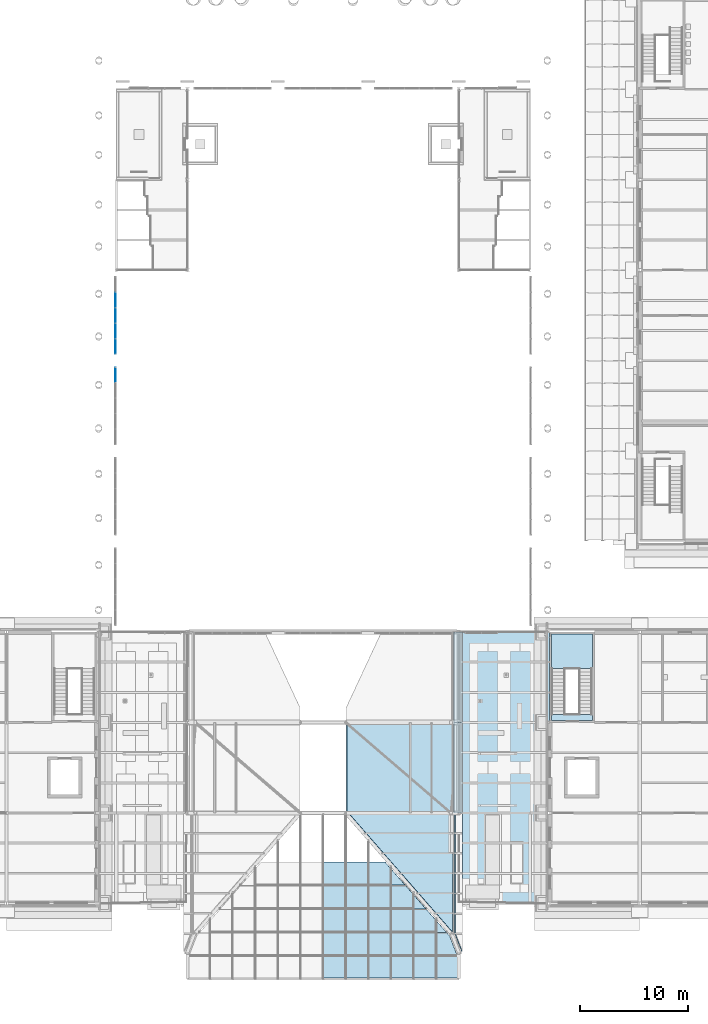
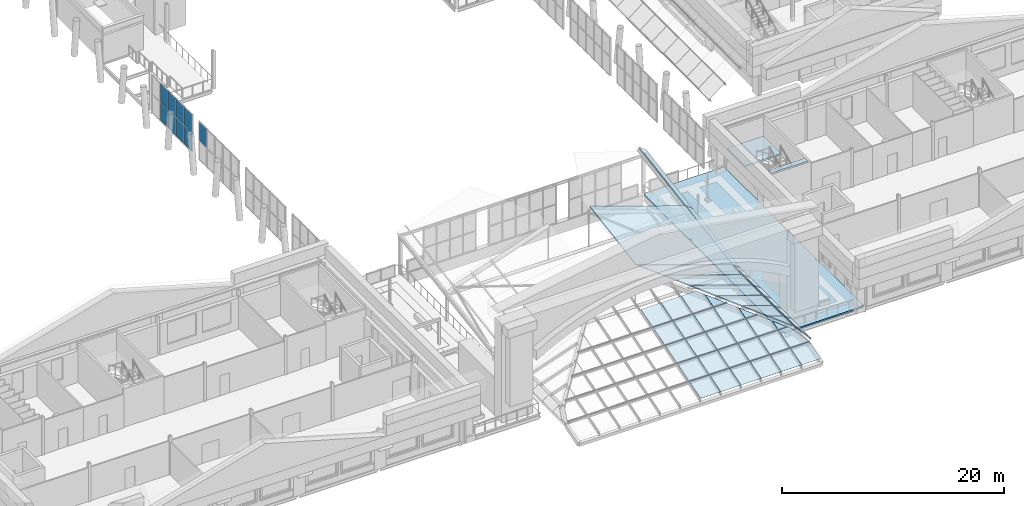
# One storey, part 35 of 76: 36 plates, 19 slabs, 3 elements without a shape of their own.
"""IFC4 building model written with IfcOpenShell, lengths in metres."""

import ifcopenshell
import ifcopenshell.guid

model = None  # the IFC model being written
_history = None  # IfcOwnerHistory: only IFC2X3 demands one
_inside = {}  # id of a spatial element -> (the spatial element, [elements in it])
_under = {}  # id of a project, library or spatial element -> (it, [spatial elements below it])
_declared = {}  # id of a project -> (the project, [libraries it declares])
_typed = {}  # id of a type object -> (the type object, [elements of that type])
_made_of = {}  # id of a material, layer set ... -> (it, [elements and type objects made of it])


def new_model(schema):
    """Start an empty IFC model of exactly this schema.

    Asked for "IFC4X3", IfcOpenShell would pick the latest addendum, in which some entities
    have other attributes; the version numbers below select the first issue.
    IFC2X3 requires an IfcOwnerHistory on every rooted entity: one is made here for all.
    """
    global model, _history
    if schema == "IFC4X3":
        model = ifcopenshell.file(schema_version=(4, 3, 0, 0))
    else:
        model = ifcopenshell.file(schema=schema)
    _inside.clear()
    _under.clear()
    _declared.clear()
    _typed.clear()
    _made_of.clear()
    _history = None
    if model.schema == "IFC2X3":
        org = make("IfcOrganization", Name="unknown")
        user = make(
            "IfcPersonAndOrganization",
            ThePerson=make("IfcPerson", FamilyName="unknown"),
            TheOrganization=org,
        )
        app = make(
            "IfcApplication",
            ApplicationDeveloper=org,
            Version="unknown",
            ApplicationFullName="unknown",
            ApplicationIdentifier="unknown",
        )
        _history = make(
            "IfcOwnerHistory",
            OwningUser=user,
            OwningApplication=app,
            ChangeAction="ADDED",
            CreationDate=0,
        )
    return model


def make(cls, **values):
    """One entity of the class cls with the attributes given. An attribute that is None is left unset."""
    return model.create_entity(
        cls, **{name: value for name, value in values.items() if value is not None}
    )


def rooted(cls, **values):
    """An entity with a GlobalId (a new one), such as an element, a storey or a relation."""
    return make(cls, GlobalId=ifcopenshell.guid.new(), OwnerHistory=_history, **values)


def si_unit(unit_type, name, prefix=None):
    """IfcSIUnit, for example si_unit("LENGTHUNIT", "METRE", prefix="MILLI")."""
    return make("IfcSIUnit", UnitType=unit_type, Prefix=prefix, Name=name)


def assignment(units):
    """IfcUnitAssignment: the units of a project."""
    return None if units is None else make("IfcUnitAssignment", Units=units)


def point(xyz):
    """IfcCartesianPoint."""
    return None if xyz is None else make("IfcCartesianPoint", Coordinates=xyz)


def direction(xyz):
    """IfcDirection."""
    return None if xyz is None else make("IfcDirection", DirectionRatios=xyz)


def frame(location, z_axis=None, x_axis=None):
    """IfcAxis2Placement3D, a coordinate frame: its origin and axes. An axis left out is left unset."""
    return make(
        "IfcAxis2Placement3D",
        Location=point(location),
        Axis=direction(z_axis),
        RefDirection=direction(x_axis),
    )


def frame_2d(location, x_axis=None):
    """IfcAxis2Placement2D, a coordinate frame in the plane: its origin and x axis."""
    return make(
        "IfcAxis2Placement2D", Location=point(location), RefDirection=direction(x_axis)
    )


def origin():
    """The frame at (0, 0, 0) with its axes left unset."""
    return frame((0.0, 0.0, 0.0))


def origin_2d():
    """The frame at (0, 0) in the plane with its x axis left unset."""
    return frame_2d((0.0, 0.0))


def place(relative_to, where):
    """IfcLocalPlacement: puts the frame where relative to a parent placement (None: the world)."""
    return make(
        "IfcLocalPlacement", PlacementRelTo=relative_to, RelativePlacement=where
    )


def context(
    kind, dimensions, precision=None, world=None, true_north=None, identifier=None
):
    """IfcGeometricRepresentationContext, for example the 3D "Model" context."""
    return make(
        "IfcGeometricRepresentationContext",
        ContextIdentifier=identifier,
        ContextType=kind,
        CoordinateSpaceDimension=dimensions,
        Precision=precision,
        WorldCoordinateSystem=world,
        TrueNorth=true_north,
    )


def subcontext(parent, identifier, kind, view, scale=None):
    """IfcGeometricRepresentationSubContext, for example "Body" below "Model"."""
    return make(
        "IfcGeometricRepresentationSubContext",
        ContextIdentifier=identifier,
        ContextType=kind,
        ParentContext=parent,
        TargetScale=scale,
        TargetView=view,
    )


def project(units=None, contexts=None):
    """IfcProject with its units and contexts."""
    return rooted(
        "IfcProject",
        Name="project",
        RepresentationContexts=contexts,
        UnitsInContext=assignment(units),
    )


def spatial(cls, under=None, at=None, **own):
    """A site, building, storey or space (cls), placed at a placement, below another one or the project."""
    s = rooted(cls, ObjectPlacement=at, **own)
    if under is not None:
        _under.setdefault(under.id(), (under, []))[1].append(s)
    return s


def polyline(points):
    """IfcPolyline through the points."""
    return make("IfcPolyline", Points=[point(p) for p in points])


def profile(cls, at=None, kind="AREA", **sizes):
    """A parametric profile (cls). Its sizes go by their IFC names, for example OverallWidth=200.0."""
    return make(cls, ProfileType=kind, Position=at, **sizes)


def rectangle(**sizes):
    """IfcRectangleProfileDef."""
    return profile("IfcRectangleProfileDef", **sizes)


def outline(outer, holes=None, kind="AREA"):
    """IfcArbitraryClosedProfileDef: a profile drawn as a closed curve; with holes, ...WithVoids."""
    if holes is None:
        return make("IfcArbitraryClosedProfileDef", ProfileType=kind, OuterCurve=outer)
    return make(
        "IfcArbitraryProfileDefWithVoids",
        ProfileType=kind,
        OuterCurve=outer,
        InnerCurves=holes,
    )


def extrude(swept, where, along, depth):
    """IfcExtrudedAreaSolid: the profile swept, set in the frame where, extruded along a direction by depth."""
    return make(
        "IfcExtrudedAreaSolid",
        SweptArea=swept,
        Position=where,
        ExtrudedDirection=direction(along),
        Depth=depth,
    )


def shape(context_of_items, identifier, shape_type, items):
    """IfcShapeRepresentation: the items that make up one representation, for example the "Body"."""
    return make(
        "IfcShapeRepresentation",
        ContextOfItems=context_of_items,
        RepresentationIdentifier=identifier,
        RepresentationType=shape_type,
        Items=items,
    )


def material(Name=None, Category=None):
    """IfcMaterial."""
    return make("IfcMaterial", Name=Name, Category=Category)


def layer(
    of_material, thickness, ventilated=None, Name=None, Category=None, Priority=None
):
    """IfcMaterialLayer: one layer of a wall or slab, of a material (None: an air gap)."""
    return make(
        "IfcMaterialLayer",
        Material=of_material,
        LayerThickness=thickness,
        IsVentilated=ventilated,
        Name=Name,
        Category=Category,
        Priority=Priority,
    )


def layer_set(layers, Name=None):
    """IfcMaterialLayerSet."""
    return make("IfcMaterialLayerSet", MaterialLayers=layers, LayerSetName=Name)


def made_of(thing, what):
    """Note that an element or type object is made of a material, layer set ...; save() writes the relation."""
    if what is not None:
        _made_of.setdefault(what.id(), (what, []))[1].append(thing)
    return thing


def type_object(cls, material=None, **own):
    """A type object (cls), such as IfcWallType, which elements share."""
    return made_of(rooted(cls, **own), material)


def element(
    cls,
    number,
    at=None,
    inside=None,
    cuts=None,
    type_object=None,
    material=None,
    context=None,
    identifier="Body",
    shape_type=None,
    held_by="IfcProductDefinitionShape",
    body=None,
    shapes=None,
    **own,
):
    """One element of the class cls, such as IfcWall. Its Tag is "e" and its number.

    at: its placement. inside: the storey or other place that contains it. cuts: it is an
    opening in that element (IfcRelVoidsElement). A single representation is given by context,
    identifier, shape_type and body (its items); several are given by shapes. held_by: the class
    of the entity that holds the representations. save() writes the other relations.
    """
    e = rooted(cls, Tag="e%d" % number, ObjectPlacement=at, **own)
    if body is not None:
        shapes = [shape(context, identifier, shape_type, body)]
    if shapes is not None:
        e.Representation = make(held_by, Representations=shapes)
    if inside is not None:
        _inside.setdefault(inside.id(), (inside, []))[1].append(e)
    if cuts is not None:
        rooted(
            "IfcRelVoidsElement", RelatingBuildingElement=cuts, RelatedOpeningElement=e
        )
    if type_object is not None:
        _typed.setdefault(type_object.id(), (type_object, []))[1].append(e)
    return made_of(e, material)


def aggregate(whole, parts):
    """IfcRelAggregates: a whole, such as a stair, and the parts it consists of."""
    return rooted("IfcRelAggregates", RelatingObject=whole, RelatedObjects=parts)


def save(model, path):
    """Write the relations noted so far, then the file.

    IfcRelAggregates (storeys below a building ...), IfcRelContainedInSpatialStructure (elements
    in a storey), IfcRelDefinesByType, IfcRelAssociatesMaterial and IfcRelDeclares: one each for
    every whole, place, type object, material and project.
    """
    for whole, parts in _under.values():
        aggregate(whole, parts)
    for where, things in _inside.values():
        rooted(
            "IfcRelContainedInSpatialStructure",
            RelatedElements=things,
            RelatingStructure=where,
        )
    for kind, things in _typed.values():
        rooted("IfcRelDefinesByType", RelatedObjects=things, RelatingType=kind)
    for what, things in _made_of.values():
        rooted("IfcRelAssociatesMaterial", RelatedObjects=things, RelatingMaterial=what)
    for by, libraries in _declared.values():
        rooted("IfcRelDeclares", RelatingContext=by, RelatedDefinitions=libraries)
    model.write(path)


model = new_model("IFC4")

# Units and contexts
model_context = context("Model", 3, precision=1e-05, world=origin(), true_north=direction((0.0, 1.0)))
body_context = subcontext(model_context, "Body", "Model", "MODEL_VIEW")
ifc_project = project(units=[si_unit("LENGTHUNIT", "METRE"), si_unit("AREAUNIT", "SQUARE_METRE"), si_unit("VOLUMEUNIT", "CUBIC_METRE"), si_unit("PLANEANGLEUNIT", "RADIAN"), si_unit("MASSUNIT", "GRAM", prefix="KILO")], contexts=[model_context])

# Site, building, storey
site_placement = place(None, origin())
site = spatial("IfcSite", under=ifc_project, at=site_placement, CompositionType="ELEMENT")
building_placement = place(site_placement, origin())
building = spatial("IfcBuilding", under=site, at=building_placement, Name="Sava Quay Ferry Terminal", CompositionType="ELEMENT")
storey_placement = place(building_placement, frame((0.0, 0.0, 10.800048828125)))
storey = spatial("IfcBuildingStorey", under=building, at=storey_placement, Name="L02", CompositionType="ELEMENT", Elevation=10.800048828125)

# Slab
ifc_material_1 = material(Name="Concrete C30/37", Category="concrete")
ifc_layer_1 = layer(ifc_material_1, 0.14990234375)
ifc_layer_set_1 = layer_set([ifc_layer_1], Name="Concrete C30/37")
slab_type_1 = type_object("IfcSlabType", Name="Composite terrace slab 150", PredefinedType="ROOF", material=ifc_layer_set_1)
slab_1_placement = place(storey_placement, frame((0.0, 0.0, -0.150146484375)))
element("IfcSlab", 1, at=slab_1_placement, inside=storey, type_object=slab_type_1, Name="TA terrace slab L02", PredefinedType="ROOF", context=body_context, shape_type="SweptSolid", body=[
    extrude(outline(polyline([(84.0, 25.340087890625), (83.860107421875, 25.340087890625), (83.860107421875, 25.199951171875), (75.739990234375, 25.199951171875), (75.739990234375, 25.340087890625), (75.60009765625, 25.340087890625), (75.60009765625, 33.4599609375), (75.739990234375, 33.4599609375), (75.739990234375, 33.739990234375), (75.60009765625, 33.739990234375), (75.60009765625, 41.860107421875), (75.739990234375, 41.860107421875), (75.739990234375, 42.139892578125), (75.60009765625, 42.139892578125), (75.60009765625, 50.2099609375), (75.760009765625, 50.2099609375), (75.760009765625, 50.39990234375), (84.0, 50.39990234375), (84.0, 42.0), (84.0, 33.739990234375), (83.860107421875, 33.739990234375), (83.860107421875, 33.4599609375), (84.0, 33.4599609375), (84.0, 25.340087890625)])), origin(), (0.0, 0.0, 1.0), 0.150146484375),
])

# Curtain wall, plate
ifc_material_2 = material(Name="Aluminium and glass curtain wall, double low-e glazed", Category="aluminium")
curtain_wall_type = type_object("IfcCurtainWallType", Name="Curtain wall CW-F flank", PredefinedType="NOTDEFINED", material=ifc_material_2)
curtain_wall_1_placement = place(storey_placement, origin())
curtain_wall_1 = element("IfcCurtainWall", 2, at=curtain_wall_1_placement, inside=storey, type_object=curtain_wall_type, Name="Curtain wall D-W L02 bay 3", PredefinedType="NOTDEFINED")
ifc_material_3 = material(Name="Laminated glass, double low-e glazed unit", Category="glass")
ifc_layer_2 = layer(ifc_material_3, 0.028076171875)
ifc_layer_set_2 = layer_set([ifc_layer_2], Name="Laminated glass, double low-e glazed unit")
plate_type_1 = type_object("IfcPlateType", Name="Glass panel 28 double low-e", PredefinedType="CURTAIN_PANEL", material=ifc_layer_set_2)
plate_1_placement = place(storey_placement, frame((43.72509765625, 74.264892578125, 2.125), z_axis=(0.0, 0.0, 1.0), x_axis=(0.0, 1.0, 0.0)))
plate_1 = element("IfcPlate", 3, at=plate_1_placement, type_object=plate_type_1, Name="CW105 panel 5.2", PredefinedType="CURTAIN_PANEL", context=body_context, shape_type="SweptSolid", body=[
    extrude(rectangle(XDim=1.35009765625, YDim=0.028076171875, at=origin_2d()), origin(), (0.0, 0.0, 1.0), 2.02490234375),
])
aggregate(curtain_wall_1, [plate_1])

# Curtain wall, plates
curtain_wall_2_placement = place(storey_placement, origin())
curtain_wall_2 = element("IfcCurtainWall", 4, at=curtain_wall_2_placement, inside=storey, type_object=curtain_wall_type, Name="Curtain wall D-W L02 bay 4", PredefinedType="NOTDEFINED")
plate_2_placement = place(storey_placement, frame((43.72509765625, 76.93505859375, 0.050048828125), z_axis=(0.0, 0.0, 1.0), x_axis=(0.0, 1.0, 0.0)))
plate_2 = element("IfcPlate", 5, at=plate_2_placement, type_object=plate_type_1, Name="CW108 panel 1.1", PredefinedType="CURTAIN_PANEL", context=body_context, shape_type="SweptSolid", body=[
    extrude(rectangle(XDim=1.35009765625, YDim=0.028076171875, at=origin_2d()), origin(), (0.0, 0.0, 1.0), 2.02490234375),
])
plate_3_placement = place(storey_placement, frame((43.72509765625, 76.93505859375, 2.125), z_axis=(0.0, 0.0, 1.0), x_axis=(0.0, 1.0, 0.0)))
plate_3 = element("IfcPlate", 6, at=plate_3_placement, type_object=plate_type_1, Name="CW108 panel 1.2", PredefinedType="CURTAIN_PANEL", context=body_context, shape_type="SweptSolid", body=[
    extrude(rectangle(XDim=1.35009765625, YDim=0.028076171875, at=origin_2d()), origin(), (0.0, 0.0, 1.0), 2.02490234375),
])
plate_4_placement = place(storey_placement, frame((43.72509765625, 78.360107421875, 0.050048828125), z_axis=(0.0, 0.0, 1.0), x_axis=(0.0, 1.0, 0.0)))
plate_4 = element("IfcPlate", 7, at=plate_4_placement, type_object=plate_type_1, Name="CW108 panel 2.1", PredefinedType="CURTAIN_PANEL", context=body_context, shape_type="SweptSolid", body=[
    extrude(rectangle(XDim=1.3798828125, YDim=0.028076171875, at=origin_2d()), origin(), (0.0, 0.0, 1.0), 2.02490234375),
])
plate_5_placement = place(storey_placement, frame((43.72509765625, 78.360107421875, 2.125), z_axis=(0.0, 0.0, 1.0), x_axis=(0.0, 1.0, 0.0)))
plate_5 = element("IfcPlate", 8, at=plate_5_placement, type_object=plate_type_1, Name="CW108 panel 2.2", PredefinedType="CURTAIN_PANEL", context=body_context, shape_type="SweptSolid", body=[
    extrude(rectangle(XDim=1.3798828125, YDim=0.028076171875, at=origin_2d()), origin(), (0.0, 0.0, 1.0), 2.02490234375),
])
plate_6_placement = place(storey_placement, frame((43.72509765625, 79.800048828125, 0.050048828125), z_axis=(0.0, 0.0, 1.0), x_axis=(0.0, 1.0, 0.0)))
plate_6 = element("IfcPlate", 9, at=plate_6_placement, type_object=plate_type_1, Name="CW108 panel 3.1", PredefinedType="CURTAIN_PANEL", context=body_context, shape_type="SweptSolid", body=[
    extrude(rectangle(XDim=1.3798828125, YDim=0.028076171875, at=origin_2d()), origin(), (0.0, 0.0, 1.0), 2.02490234375),
])
plate_7_placement = place(storey_placement, frame((43.72509765625, 79.800048828125, 2.125), z_axis=(0.0, 0.0, 1.0), x_axis=(0.0, 1.0, 0.0)))
plate_7 = element("IfcPlate", 10, at=plate_7_placement, type_object=plate_type_1, Name="CW108 panel 3.2", PredefinedType="CURTAIN_PANEL", context=body_context, shape_type="SweptSolid", body=[
    extrude(rectangle(XDim=1.3798828125, YDim=0.028076171875, at=origin_2d()), origin(), (0.0, 0.0, 1.0), 2.02490234375),
])
plate_8_placement = place(storey_placement, frame((43.72509765625, 81.239990234375, 0.050048828125), z_axis=(0.0, 0.0, 1.0), x_axis=(0.0, 1.0, 0.0)))
plate_8 = element("IfcPlate", 11, at=plate_8_placement, type_object=plate_type_1, Name="CW108 panel 4.1", PredefinedType="CURTAIN_PANEL", context=body_context, shape_type="SweptSolid", body=[
    extrude(rectangle(XDim=1.3798828125, YDim=0.028076171875, at=origin_2d()), origin(), (0.0, 0.0, 1.0), 2.02490234375),
])
plate_9_placement = place(storey_placement, frame((43.72509765625, 81.239990234375, 2.125), z_axis=(0.0, 0.0, 1.0), x_axis=(0.0, 1.0, 0.0)))
plate_9 = element("IfcPlate", 12, at=plate_9_placement, type_object=plate_type_1, Name="CW108 panel 4.2", PredefinedType="CURTAIN_PANEL", context=body_context, shape_type="SweptSolid", body=[
    extrude(rectangle(XDim=1.3798828125, YDim=0.028076171875, at=origin_2d()), origin(), (0.0, 0.0, 1.0), 2.02490234375),
])
aggregate(curtain_wall_2, [plate_2, plate_3, plate_4, plate_5, plate_6, plate_7, plate_8, plate_9])

# Slabs
ifc_material_4 = material(Name="Cross laminated timber C24", Category="wood")
ifc_layer_3 = layer(ifc_material_4, 0.10009765625)
ifc_layer_set_3 = layer_set([ifc_layer_3], Name="Cross laminated timber C24")
slab_type_2 = type_object("IfcSlabType", Name="Roof deck CLT 100", PredefinedType="ROOF", material=ifc_layer_set_3)
slab_2_placement = place(storey_placement, frame((65.20849609375, 33.610107421875, 6.0048828125), z_axis=(0.321876613245, -0.150131101107, 0.934802705562), x_axis=(4.327655e-06, 0.98734798135, 0.158568482701)))
element("IfcSlab", 13, at=slab_2_placement, inside=storey, type_object=slab_type_2, Name="Arrivals hall roof deck bay 1 facet 4", PredefinedType="ROOF", context=body_context, shape_type="SweptSolid", body=[
    extrude(outline(polyline([(0.0, 0.0), (8.487246481565514, -5.551115123125783e-17), (7.9446492542265394, -10.497595430087456), (-0.5426359403474454, -10.497673019168033), (0.0, 0.0)])), origin(), (0.0, 0.0, -1.0), 0.10009765625),
])
slab_3_placement = place(storey_placement, frame((75.164794921875, 33.610107421875, 2.5732421875), z_axis=(0.610772109589, -0.125556695177, 0.781788300274), x_axis=(6.867705e-06, 0.98734858805, 0.158564704866)))
element("IfcSlab", 14, at=slab_3_placement, inside=storey, type_object=slab_type_2, Name="Arrivals hall roof deck bay 1 facet 5", PredefinedType="ROOF", context=body_context, shape_type="SweptSolid", body=[
    extrude(outline(polyline([(0.0, 0.0), (8.487246481796095, -1.1102230246251565e-16), (8.38903936511117, -1.0013951665001424), (-0.09824582877107428, -1.0015423944889872), (0.0, 0.0)])), origin(), (0.0, 0.0, -1.0), 0.10009765625),
])
slab_4_placement = place(storey_placement, frame((75.164794921875, 42.010009765625, 3.922119140625), z_axis=(0.610779093845, -0.125467022993, 0.781797240122), x_axis=(-6.867956e-06, 0.987364917045, 0.158462994233)))
element("IfcSlab", 15, at=slab_4_placement, inside=storey, type_object=slab_type_2, Name="Arrivals hall roof deck bay 2 facet 5", PredefinedType="ROOF", context=body_context, shape_type="SweptSolid", body=[
    extrude(outline(polyline([(0.0, 0.0), (8.487130382784853, 1.1102230246251565e-16), (8.388936684912794, -1.0015475068750617), (-0.09815501061760702, -1.0014002751886297), (0.0, 0.0)])), origin(), (0.0, 0.0, -1.0), 0.10009765625),
])
slab_5_placement = place(storey_placement, frame((73.509521484375, 24.2666015625, 3.1376953125), z_axis=(0.325580242369, 0.0, 0.945514413311), x_axis=(0.945514413311, 0.0, -0.325580242369)))
element("IfcSlab", 16, at=slab_5_placement, inside=storey, type_object=slab_type_2, Name="Arrivals hall stern roof deck AS-F3", PredefinedType="ROOF", context=body_context, shape_type="SweptSolid", body=[
    extrude(outline(polyline([(0.0, 0.0), (1.5949589127297932, 0.0), (1.5949589127297932, -1.7270507812500004), (0.0, 0.0)])), origin(), (0.0, 0.0, -1.0), 0.10009765625),
])
slab_6_placement = place(storey_placement, frame((71.88134765625, 26.131103515625, 3.698486328125), z_axis=(0.32563050938, 2.2543938e-05, 0.945497102509), x_axis=(0.945497102749, -2.83e-10, -0.325630509463)))
element("IfcSlab", 17, at=slab_6_placement, inside=storey, type_object=slab_type_2, Name="Arrivals hall stern roof deck AS-F3", PredefinedType="ROOF", context=body_context, shape_type="SweptSolid", body=[
    extrude(outline(polyline([(0.0, 0.0), (3.3170032118600443, 0.0), (3.317003212381452, -1.844726562031228), (1.70366757899754, -1.8447265634247776), (0.0, 0.0)])), origin(), (0.0, 0.0, -1.0), 0.10009765625),
])
slab_7_placement = place(storey_placement, frame((70.2529296875, 27.995849609375, 4.259033203125), z_axis=(0.325570192259, -6.913776e-06, 0.9455178739), x_axis=(0.945517873923, -1.7e-11, -0.325570192266)))
element("IfcSlab", 18, at=slab_7_placement, inside=storey, type_object=slab_type_2, Name="Arrivals hall stern roof deck AS-F3", PredefinedType="ROOF", context=body_context, shape_type="SweptSolid", body=[
    extrude(outline(polyline([(0.0, 0.0), (5.039198857301975, 1.6940658945086007e-21), (5.039198857334255, -1.8447265624559108), (1.7036675803477928, -1.8447265626024563), (0.0, 0.0)])), origin(), (0.0, 0.0, -1.0), 0.10009765625),
])
slab_8_placement = place(storey_placement, frame((68.62451171875, 29.860595703125, 4.81982421875), z_axis=(0.325588323214, 2.3486011e-05, 0.945511630407), x_axis=(0.945511630668, -1.5e-10, -0.325588323304)))
element("IfcSlab", 19, at=slab_8_placement, inside=storey, type_object=slab_type_2, Name="Arrivals hall stern roof deck AS-F3", PredefinedType="ROOF", context=body_context, shape_type="SweptSolid", body=[
    extrude(outline(polyline([(0.0, 0.0), (6.7614739921629115, 0.0), (6.761473992440525, -1.844726561991231), (1.7038984185694908, -1.844726563769886), (0.0, 0.0)])), origin(), (0.0, 0.0, -1.0), 0.10009765625),
])
slab_9_placement = place(storey_placement, frame((66.996337890625, 31.725341796875, 5.38037109375), z_axis=(0.325569672004, -7.167854e-06, 0.945518053037), x_axis=(0.945518053062, -1.1e-11, -0.325569672013)))
element("IfcSlab", 20, at=slab_9_placement, inside=storey, type_object=slab_type_2, Name="Arrivals hall stern roof deck AS-F3", PredefinedType="ROOF", context=body_context, shape_type="SweptSolid", body=[
    extrude(outline(polyline([(0.0, 0.0), (8.483438801958265, 0.0), (8.483438801978874, -1.8447265624526106), (1.7036675803218293, -1.844726562623134), (0.0, 0.0)])), origin(), (0.0, 0.0, -1.0), 0.10009765625),
])
slab_10_placement = place(storey_placement, frame((65.40283203125, 33.550048828125, 5.928955078125), z_axis=(0.325568324987, 4.067879e-05, 0.945518516006), x_axis=(0.945518516788, -2.94e-10, -0.325568325257)))
element("IfcSlab", 21, at=slab_10_placement, inside=storey, type_object=slab_type_2, Name="Arrivals hall stern roof deck AS-F3", PredefinedType="ROOF", context=body_context, shape_type="SweptSolid", body=[
    extrude(outline(polyline([(0.0, 0.0), (10.168729667636157, 0.0), (10.168729668166154, -1.8046874985068344), (1.666683312197201, -1.8046875039900299), (0.0, 0.0)])), origin(), (0.0, 0.0, -1.0), 0.10009765625),
])
slab_11_placement = place(storey_placement, frame((75.296875, 22.374267578125, 2.46240234375), z_axis=(0.615897929488, 0.0, 0.787825958224), x_axis=(0.787825958224, 0.0, -0.615897929488)))
element("IfcSlab", 22, at=slab_11_placement, inside=storey, type_object=slab_type_2, Name="Arrivals hall stern roof deck AS-F4", PredefinedType="ROOF", context=body_context, shape_type="SweptSolid", body=[
    extrude(outline(polyline([(0.0, 0.0), (0.8023092810368685, 0.0), (0.8023092810368685, -1.6430664062499998), (0.0, 0.0)])), origin(), (0.0, 0.0, -1.0), 0.10009765625),
])
slab_12_placement = place(storey_placement, frame((75.27783203125, 22.42333984375, 2.47705078125), z_axis=(0.615719934076, 4.9131308e-05, 0.787965075602), x_axis=(-3.0251126e-05, 0.999999998793, -3.8713755e-05)))
element("IfcSlab", 23, at=slab_12_placement, inside=storey, type_object=slab_type_2, Name="Arrivals hall stern roof deck AS-F4", PredefinedType="ROOF", context=body_context, shape_type="SweptSolid", body=[
    extrude(outline(polyline([(0.0, 0.0), (1.8203124978029872, -6.167458647195374e-21), (1.8203124977328573, -0.8263337898751175), (-0.029052734410064986, -0.8263337898751175), (-0.029052743268246722, -0.014110495908223417), (0.0, 0.0)])), origin(), (0.0, 0.0, -1.0), 0.10009765625),
])
slab_13_placement = place(storey_placement, frame((75.27783203125, 26.11279296875, 2.47705078125), z_axis=(0.615718573697, 0.0, 0.787966140139), x_axis=(0.787966140139, 0.0, -0.615718573697)))
element("IfcSlab", 24, at=slab_13_placement, inside=storey, type_object=slab_type_2, Name="Arrivals hall stern roof deck AS-F4", PredefinedType="ROOF", context=body_context, shape_type="SweptSolid", body=[
    extrude(outline(polyline([(0.0, 0.0), (0.8263337898763504, 0.0), (0.8263337898763504, -1.8491210937499996), (0.0, -1.8491210937499996), (0.0, 0.0)])), origin(), (0.0, 0.0, -1.0), 0.10009765625),
])
slab_14_placement = place(storey_placement, frame((75.27783203125, 27.982177734375, 2.47705078125), z_axis=(0.615718573697, 0.0, 0.787966140139), x_axis=(0.787966140139, 0.0, -0.615718573697)))
element("IfcSlab", 25, at=slab_14_placement, inside=storey, type_object=slab_type_2, Name="Arrivals hall stern roof deck AS-F4", PredefinedType="ROOF", context=body_context, shape_type="SweptSolid", body=[
    extrude(outline(polyline([(0.0, 0.0), (0.8263337898763504, 0.0), (0.8263337898763504, -1.849365234375), (0.0, -1.849365234375), (0.0, 0.0)])), origin(), (0.0, 0.0, -1.0), 0.10009765625),
])
slab_15_placement = place(storey_placement, frame((75.27783203125, 29.851318359375, 2.47705078125), z_axis=(0.615718573697, 0.0, 0.787966140139), x_axis=(0.787966140139, 0.0, -0.615718573697)))
element("IfcSlab", 26, at=slab_15_placement, inside=storey, type_object=slab_type_2, Name="Arrivals hall stern roof deck AS-F4", PredefinedType="ROOF", context=body_context, shape_type="SweptSolid", body=[
    extrude(outline(polyline([(0.0, 0.0), (0.8263337898763504, 0.0), (0.8263337898763504, -1.8491210937499996), (0.0, -1.8491210937499996), (0.0, 0.0)])), origin(), (0.0, 0.0, -1.0), 0.10009765625),
])
slab_16_placement = place(storey_placement, frame((75.27783203125, 31.720703125, 2.47705078125), z_axis=(0.615718573697, 0.0, 0.787966140139), x_axis=(0.787966140139, 0.0, -0.615718573697)))
element("IfcSlab", 27, at=slab_16_placement, inside=storey, type_object=slab_type_2, Name="Arrivals hall stern roof deck AS-F4", PredefinedType="ROOF", context=body_context, shape_type="SweptSolid", body=[
    extrude(outline(polyline([(0.0, 0.0), (0.8263337898763504, 0.0), (0.8263337898763504, -1.849365234375), (0.0, -1.849365234375), (0.0, 0.0)])), origin(), (0.0, 0.0, -1.0), 0.10009765625),
])
slab_17_placement = place(storey_placement, frame((75.27783203125, 33.550048828125, 2.47705078125), z_axis=(0.615718573697, 0.0, 0.787966140139), x_axis=(0.787966140139, 0.0, -0.615718573697)))
element("IfcSlab", 28, at=slab_17_placement, inside=storey, type_object=slab_type_2, Name="Arrivals hall stern roof deck AS-F4", PredefinedType="ROOF", context=body_context, shape_type="SweptSolid", body=[
    extrude(outline(polyline([(0.0, 0.0), (0.8263337898763504, 0.0), (0.8263337898763504, -1.809326171875), (0.0, -1.809326171875), (0.0, 0.0)])), origin(), (0.0, 0.0, -1.0), 0.10009765625),
])

# Plates
ifc_material_5 = material(Name="Laminated glass", Category="glass")
ifc_layer_4 = layer(ifc_material_5, 0.0400390625)
ifc_layer_set_4 = layer_set([ifc_layer_4], Name="Laminated glass")
plate_type_2 = type_object("IfcPlateType", Name="Skylight glass 40", PredefinedType="SHEET", material=ifc_layer_set_4)
plate_10_placement = place(storey_placement, frame((63.02001953125, 20.294189453125, 2.024658203125), z_axis=(0.0, -0.287968833292, 0.957639781469), x_axis=(1.0, 0.0, 0.0)))
element("IfcPlate", 29, at=plate_10_placement, inside=storey, type_object=plate_type_2, Name="Arrivals hall stern glass AS-E-K6.0", PredefinedType="SHEET", context=body_context, shape_type="SweptSolid", body=[
    extrude(outline(polyline([(0.0, 0.0), (2.06005859375, 0.0), (2.06005859375, -2.1279836492887267), (0.0, -2.1279836492887267), (0.0, 0.0)])), origin(), (0.0, 0.0, -1.0), 0.0400390625),
])
for number, where, z_axis, x_axis, name in (
    (30, (63.02001953125, 20.33251953125, 2.0361328125), (0.0, -0.287867250145, 0.957670322342), (0.0, 0.957670322342, 0.287867250145), "Arrivals hall stern glass AS-E-K6.1"),
    (31, (63.02001953125, 22.518310546875, 2.693359375), (0.0, -0.287867250145, 0.957670322342), (0.0, 0.957670322342, 0.287867250145), "Arrivals hall stern glass AS-E-K6.2"),
    (32, (63.02001953125, 24.703857421875, 3.3505859375), (0.0, -0.287867250145, 0.957670322342), (0.0, 0.957670322342, 0.287867250145), "Arrivals hall stern glass AS-E-K6.3"),
):
    element("IfcPlate", number, at=place(storey_placement, frame(where, z_axis=z_axis, x_axis=x_axis)), inside=storey, type_object=plate_type_2, Name=name, PredefinedType="SHEET", context=body_context, shape_type="SweptSolid", body=[
        extrude(outline(polyline([(0.0, 0.0), (2.242380167163212, 0.0), (2.242380167163212, -2.0600585937499996), (0.0, -2.0600585937499996), (0.0, 0.0)])), origin(), (0.0, 0.0, -1.0), 0.0400390625),
    ])
plate_11_placement = place(storey_placement, frame((63.02001953125, 26.8896484375, 4.007568359375), z_axis=(0.0, -0.287967098852, 0.957640303025), x_axis=(0.0, 0.957640303025, 0.287967098852)))
element("IfcPlate", 33, at=plate_11_placement, inside=storey, type_object=plate_type_2, Name="Arrivals hall stern glass AS-E-K6.4", PredefinedType="SHEET", context=body_context, shape_type="SweptSolid", body=[
    extrude(outline(polyline([(0.0, 0.0), (2.2424504594423333, 0.0), (2.2424504594423333, -2.06005859375), (0.0, -2.06005859375), (0.0, 0.0)])), origin(), (0.0, 0.0, -1.0), 0.0400390625),
])
plate_12_placement = place(storey_placement, frame((65.1201171875, 20.294189453125, 2.024658203125), z_axis=(0.0, -0.287968833292, 0.957639781469), x_axis=(1.0, 0.0, 0.0)))
element("IfcPlate", 34, at=plate_12_placement, inside=storey, type_object=plate_type_2, Name="Arrivals hall stern glass AS-E-K7.0", PredefinedType="SHEET", context=body_context, shape_type="SweptSolid", body=[
    extrude(outline(polyline([(0.0, 0.0), (2.059814453125, 0.0), (2.059814453125, -2.1279836492887267), (0.0, -2.1279836492887267), (0.0, 0.0)])), origin(), (0.0, 0.0, -1.0), 0.0400390625),
])
for number, where, z_axis, x_axis, name in (
    (35, (65.1201171875, 20.33251953125, 2.0361328125), (0.0, -0.287867250145, 0.957670322342), (0.0, 0.957670322342, 0.287867250145), "Arrivals hall stern glass AS-E-K7.1"),
    (36, (65.1201171875, 22.518310546875, 2.693359375), (0.0, -0.287867250145, 0.957670322342), (0.0, 0.957670322342, 0.287867250145), "Arrivals hall stern glass AS-E-K7.2"),
    (37, (65.1201171875, 24.703857421875, 3.3505859375), (0.0, -0.287867250145, 0.957670322342), (0.0, 0.957670322342, 0.287867250145), "Arrivals hall stern glass AS-E-K7.3"),
):
    element("IfcPlate", number, at=place(storey_placement, frame(where, z_axis=z_axis, x_axis=x_axis)), inside=storey, type_object=plate_type_2, Name=name, PredefinedType="SHEET", context=body_context, shape_type="SweptSolid", body=[
        extrude(outline(polyline([(0.0, 0.0), (2.242380167163212, 0.0), (2.242380167163212, -2.059814453125), (0.0, -2.059814453125), (0.0, 0.0)])), origin(), (0.0, 0.0, -1.0), 0.0400390625),
    ])
plate_13_placement = place(storey_placement, frame((65.1201171875, 26.8896484375, 4.007568359375), z_axis=(0.0, -0.287967098852, 0.957640303025), x_axis=(0.0, 0.957640303025, 0.287967098852)))
element("IfcPlate", 38, at=plate_13_placement, inside=storey, type_object=plate_type_2, Name="Arrivals hall stern glass AS-E-K7.4", PredefinedType="SHEET", context=body_context, shape_type="SweptSolid", body=[
    extrude(outline(polyline([(0.0, 0.0), (2.2424504594423333, 0.0), (2.2424504594423333, -2.059814453125), (0.0, -2.059814453125), (0.0, 0.0)])), origin(), (0.0, 0.0, -1.0), 0.0400390625),
])
plate_14_placement = place(storey_placement, frame((67.219970703125, 20.294189453125, 2.024658203125), z_axis=(0.0, -0.287968833292, 0.957639781469), x_axis=(1.0, 0.0, 0.0)))
element("IfcPlate", 39, at=plate_14_placement, inside=storey, type_object=plate_type_2, Name="Arrivals hall stern glass AS-E-K8.0", PredefinedType="SHEET", context=body_context, shape_type="SweptSolid", body=[
    extrude(outline(polyline([(0.0, 0.0), (2.06005859375, 0.0), (2.06005859375, -2.1279836492887267), (0.0, -2.1279836492887267), (0.0, 0.0)])), origin(), (0.0, 0.0, -1.0), 0.0400390625),
])
for number, where, z_axis, x_axis, name in (
    (40, (67.219970703125, 20.33251953125, 2.0361328125), (0.0, -0.287867250145, 0.957670322342), (0.0, 0.957670322342, 0.287867250145), "Arrivals hall stern glass AS-E-K8.1"),
    (41, (67.219970703125, 22.518310546875, 2.693359375), (0.0, -0.287867250145, 0.957670322342), (0.0, 0.957670322342, 0.287867250145), "Arrivals hall stern glass AS-E-K8.2"),
    (42, (67.219970703125, 24.703857421875, 3.3505859375), (0.0, -0.287867250145, 0.957670322342), (0.0, 0.957670322342, 0.287867250145), "Arrivals hall stern glass AS-E-K8.3"),
):
    element("IfcPlate", number, at=place(storey_placement, frame(where, z_axis=z_axis, x_axis=x_axis)), inside=storey, type_object=plate_type_2, Name=name, PredefinedType="SHEET", context=body_context, shape_type="SweptSolid", body=[
        extrude(outline(polyline([(0.0, 0.0), (2.242380167163212, 0.0), (2.242380167163212, -2.0600585937499996), (0.0, -2.0600585937499996), (0.0, 0.0)])), origin(), (0.0, 0.0, -1.0), 0.0400390625),
    ])
plate_15_placement = place(storey_placement, frame((69.280029296875, 26.8896484375, 4.007568359375), z_axis=(4.546636e-06, -0.28796608726, 0.957640607205), x_axis=(-0.99999999999, -1.309277e-06, 4.354043e-06)))
element("IfcPlate", 43, at=plate_15_placement, inside=storey, type_object=plate_type_2, Name="Arrivals hall stern glass AS-E-K8.4", PredefinedType="SHEET", context=body_context, shape_type="SweptSolid", body=[
    extrude(outline(polyline([(0.0, 0.0), (2.0600585937287073, -4.36234375545153e-22), (2.0600585937394773, -2.2424504594410823), (0.5209960937553849, -2.2424504594410823), (-7.440067532041614e-11, -1.619372159106389), (0.0, 0.0)])), origin(), (0.0, 0.0, -1.0), 0.0400390625),
])
plate_16_placement = place(storey_placement, frame((69.320068359375, 20.294189453125, 2.024658203125), z_axis=(0.0, -0.287968833292, 0.957639781469), x_axis=(1.0, 0.0, 0.0)))
element("IfcPlate", 44, at=plate_16_placement, inside=storey, type_object=plate_type_2, Name="Arrivals hall stern glass AS-E-K9.0", PredefinedType="SHEET", context=body_context, shape_type="SweptSolid", body=[
    extrude(outline(polyline([(0.0, 0.0), (2.059814453125, 0.0), (2.059814453125, -2.1279836492887267), (0.0, -2.1279836492887267), (0.0, 0.0)])), origin(), (0.0, 0.0, -1.0), 0.0400390625),
])
for number, where, z_axis, x_axis, name in (
    (45, (69.320068359375, 20.33251953125, 2.0361328125), (0.0, -0.287867250145, 0.957670322342), (0.0, 0.957670322342, 0.287867250145), "Arrivals hall stern glass AS-E-K9.1"),
    (46, (69.320068359375, 22.518310546875, 2.693359375), (0.0, -0.287867250145, 0.957670322342), (0.0, 0.957670322342, 0.287867250145), "Arrivals hall stern glass AS-E-K9.2"),
):
    element("IfcPlate", number, at=place(storey_placement, frame(where, z_axis=z_axis, x_axis=x_axis)), inside=storey, type_object=plate_type_2, Name=name, PredefinedType="SHEET", context=body_context, shape_type="SweptSolid", body=[
        extrude(outline(polyline([(0.0, 0.0), (2.242380167163212, 0.0), (2.242380167163212, -2.059814453125), (0.0, -2.059814453125), (0.0, 0.0)])), origin(), (0.0, 0.0, -1.0), 0.0400390625),
    ])
plate_17_placement = place(storey_placement, frame((71.3798828125, 24.703857421875, 3.3505859375), z_axis=(-1.6711795e-05, -0.28787233294, 0.957668794338), x_axis=(-0.99999999986, 4.810864e-06, -1.6004365e-05)))
element("IfcPlate", 47, at=plate_17_placement, inside=storey, type_object=plate_type_2, Name="Arrivals hall stern glass AS-E-K9.3", PredefinedType="SHEET", context=body_context, shape_type="SweptSolid", body=[
    extrude(outline(polyline([(0.0, 0.0), (2.0598144528373634, 1.7447307070274736e-21), (2.059814453036258, -2.242380167131629), (0.7121582032244473, -2.242380167131629), (-9.516524097700048e-10, -1.3906723388500188), (0.0, 0.0)])), origin(), (0.0, 0.0, -1.0), 0.0400390625),
])
plate_18_placement = place(storey_placement, frame((69.320068359375, 26.8896484375, 4.007568359375), z_axis=(0.0, -0.287989108034, 0.957633684482), x_axis=(0.0, 0.957633684482, 0.287989108034)))
element("IfcPlate", 48, at=plate_18_placement, inside=storey, type_object=plate_type_2, Name="Arrivals hall stern glass AS-E-K9.4", PredefinedType="SHEET", context=body_context, shape_type="SweptSolid", body=[
    extrude(outline(polyline([(0.0, 0.0), (1.5717147146298889, 0.0), (0.0, -1.314208984375), (0.0, 0.0)])), origin(), (0.0, 0.0, -1.0), 0.0400390625),
])
plate_19_placement = place(storey_placement, frame((71.419921875, 20.294189453125, 2.024658203125), z_axis=(0.0, -0.287968833292, 0.957639781469), x_axis=(1.0, 0.0, 0.0)))
element("IfcPlate", 49, at=plate_19_placement, inside=storey, type_object=plate_type_2, Name="Arrivals hall stern glass AS-E-K10.0", PredefinedType="SHEET", context=body_context, shape_type="SweptSolid", body=[
    extrude(outline(polyline([(0.0, 0.0), (2.06005859375, 0.0), (2.06005859375, -2.1279836492887267), (0.0, -2.1279836492887267), (0.0, 0.0)])), origin(), (0.0, 0.0, -1.0), 0.0400390625),
])
plate_20_placement = place(storey_placement, frame((71.419921875, 20.33251953125, 2.0361328125), z_axis=(0.0, -0.287867250145, 0.957670322342), x_axis=(0.0, 0.957670322342, 0.287867250145)))
element("IfcPlate", 50, at=plate_20_placement, inside=storey, type_object=plate_type_2, Name="Arrivals hall stern glass AS-E-K10.1", PredefinedType="SHEET", context=body_context, shape_type="SweptSolid", body=[
    extrude(outline(polyline([(0.0, 0.0), (2.242380167163212, 0.0), (2.242380167163212, -2.0600585937499996), (0.0, -2.0600585937499996), (0.0, 0.0)])), origin(), (0.0, 0.0, -1.0), 0.0400390625),
])
plate_21_placement = place(storey_placement, frame((73.47998046875, 22.518310546875, 2.693359375), z_axis=(-1.3071637e-05, -0.287872294358, 0.957668805992), x_axis=(-0.999999999915, 3.762962e-06, -1.2518299e-05)))
element("IfcPlate", 51, at=plate_21_placement, inside=storey, type_object=plate_type_2, Name="Arrivals hall stern glass AS-E-K10.2", PredefinedType="SHEET", context=body_context, shape_type="SweptSolid", body=[
    extrude(outline(polyline([(0.0, 0.0), (2.0600585935740012, -8.72468751090306e-22), (2.060058593728391, -2.242380167132106), (0.903564453202195, -2.242380167132106), (-5.496049645479503e-10, -1.1617387188922508), (0.0, 0.0)])), origin(), (0.0, 0.0, -1.0), 0.0400390625),
])
plate_22_placement = place(storey_placement, frame((71.419921875, 24.703857421875, 3.3505859375), z_axis=(0.0, -0.28783160793, 0.957681035354), x_axis=(0.0, 0.957681035354, 0.28783160793)))
element("IfcPlate", 52, at=plate_22_placement, inside=storey, type_object=plate_type_2, Name="Arrivals hall stern glass AS-E-K10.3", PredefinedType="SHEET", context=body_context, shape_type="SweptSolid", body=[
    extrude(outline(polyline([(0.0, 0.0), (1.342710802871568, 0.0), (0.0, -1.123046875), (0.0, 0.0)])), origin(), (0.0, 0.0, -1.0), 0.0400390625),
])
plate_23_placement = place(storey_placement, frame((73.52001953125, 20.294189453125, 2.024658203125), z_axis=(0.0, -0.287968833292, 0.957639781469), x_axis=(1.0, 0.0, 0.0)))
element("IfcPlate", 53, at=plate_23_placement, inside=storey, type_object=plate_type_2, Name="Arrivals hall stern glass AS-E-K11.0", PredefinedType="SHEET", context=body_context, shape_type="SweptSolid", body=[
    extrude(outline(polyline([(0.0, 0.0), (1.94580078125, 0.0), (1.94580078125, -2.1279836492887267), (0.0, -2.1279836492887267), (0.0, 0.0)])), origin(), (0.0, 0.0, -1.0), 0.0400390625),
])
plate_24_placement = place(storey_placement, frame((73.52001953125, 20.33251953125, 2.0361328125), z_axis=(-4.9378841e-05, -0.287887823465, 0.957664136669), x_axis=(-1.061e-09, 0.957664137837, 0.287887823816)))
element("IfcPlate", 54, at=plate_24_placement, inside=storey, type_object=plate_type_2, Name="Arrivals hall stern glass AS-E-K11.1", PredefinedType="SHEET", context=body_context, shape_type="SweptSolid", body=[
    extrude(outline(polyline([(0.0, 0.0), (2.2423801666457557, 0.0), (2.2423801656219795, -0.9650878894484277), (1.9229956471589151, -1.232177740270271), (-2.0586883979949853e-09, -1.9406738257590568), (0.0, 0.0)])), origin(), (0.0, 0.0, -1.0), 0.0400390625),
])
plate_25_placement = place(storey_placement, frame((73.52001953125, 22.518310546875, 2.693359375), z_axis=(0.0, -0.287810385435, 0.957687413531), x_axis=(0.0, 0.957687413531, 0.287810385435)))
element("IfcPlate", 55, at=plate_25_placement, inside=storey, type_object=plate_type_2, Name="Arrivals hall stern glass AS-E-K11.2", PredefinedType="SHEET", context=body_context, shape_type="SweptSolid", body=[
    extrude(outline(polyline([(0.0, 0.0), (1.1137771840315507, 0.0), (0.0, -0.931640625), (0.0, 0.0)])), origin(), (0.0, 0.0, -1.0), 0.0400390625),
])

# Stair, slabs
ifc_material_6 = material(Name="Concrete C30/37", Category="concrete")
stair_type = type_object("IfcStairType", Name="Stair 1200 half landing", PredefinedType="HALF_TURN_STAIR", material=ifc_material_6)
stair_placement = place(storey_placement, origin())
stair = element("IfcStair", 56, at=stair_placement, inside=storey, type_object=stair_type, Name="Stair ST-P1 L02", PredefinedType="HALF_TURN_STAIR")
ifc_material_7 = material(Name="Concrete C30/37", Category="concrete")
ifc_layer_5 = layer(ifc_material_7, 0.199951171875)
ifc_layer_set_5 = layer_set([ifc_layer_5], Name="Concrete C30/37")
slab_type_3 = type_object("IfcSlabType", Name="Stair head floor 200", PredefinedType="FLOOR", material=ifc_layer_set_5)
slab_18_placement = place(storey_placement, frame((0.0, 0.0, 4.0)))
slab_18 = element("IfcSlab", 57, at=slab_18_placement, type_object=slab_type_3, Name="ST-P1 head floor L03", PredefinedType="FLOOR", context=body_context, shape_type="SweptSolid", body=[
    extrude(outline(polyline([(84.199951171875, 42.199951171875), (84.199951171875, 42.72998046875), (88.0, 42.72998046875), (88.0, 42.199951171875), (84.199951171875, 42.199951171875)])), origin(), (0.0, 0.0, 1.0), 0.199951171875),
])
ifc_material_8 = material(Name="Concrete C30/37", Category="concrete")
ifc_layer_6 = layer(ifc_material_8, 0.199951171875)
ifc_layer_set_6 = layer_set([ifc_layer_6], Name="Concrete C30/37")
slab_type_4 = type_object("IfcSlabType", Name="Stair landing 200", PredefinedType="LANDING", material=ifc_layer_set_6)
slab_19_placement = place(storey_placement, frame((0.0, 0.0, 1.89990234375)))
slab_19 = element("IfcSlab", 58, at=slab_19_placement, type_object=slab_type_4, Name="ST-P1 landing 1", PredefinedType="LANDING", context=body_context, shape_type="SweptSolid", body=[
    extrude(outline(polyline([(84.199951171875, 47.02001953125), (84.199951171875, 50.199951171875), (88.0, 50.199951171875), (88.0, 47.02001953125), (84.199951171875, 47.02001953125)])), origin(), (0.0, 0.0, 1.0), 0.199951171875),
])
aggregate(stair, [slab_19, slab_18])

save(model, "model.ifc")
